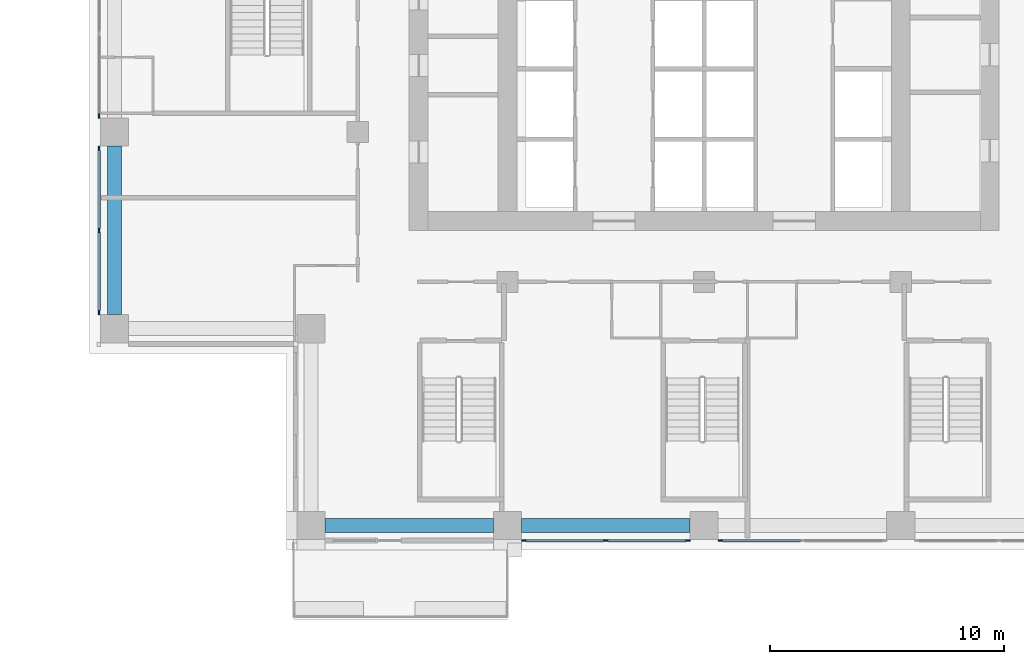
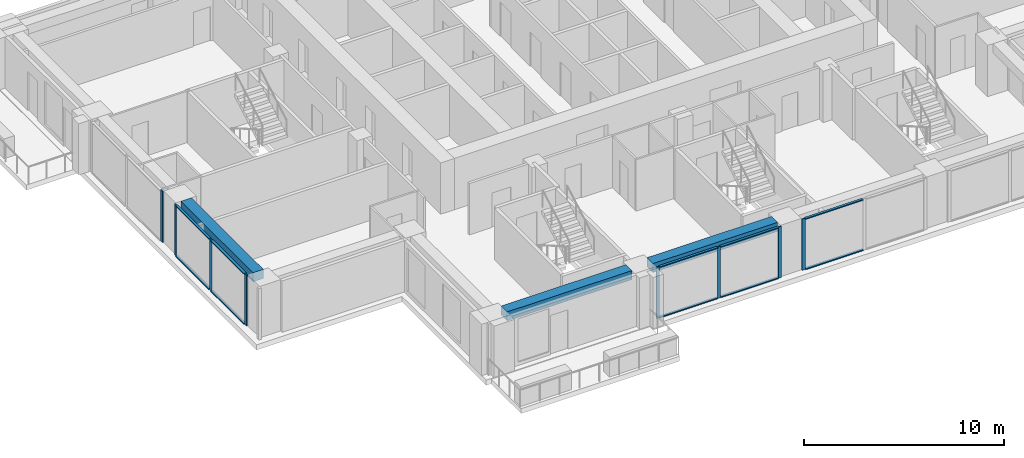
# One storey, part 2 of 17: 18 members, 3 beams, 4 elements without a shape of their own.
"""IFC4 building model written with IfcOpenShell, lengths in metres."""

import ifcopenshell
import ifcopenshell.guid

model = None  # the IFC model being written
_history = None  # IfcOwnerHistory: only IFC2X3 demands one
_inside = {}  # id of a spatial element -> (the spatial element, [elements in it])
_under = {}  # id of a project, library or spatial element -> (it, [spatial elements below it])
_declared = {}  # id of a project -> (the project, [libraries it declares])
_typed = {}  # id of a type object -> (the type object, [elements of that type])
_made_of = {}  # id of a material, layer set ... -> (it, [elements and type objects made of it])


def new_model(schema):
    """Start an empty IFC model of exactly this schema.

    Asked for "IFC4X3", IfcOpenShell would pick the latest addendum, in which some entities
    have other attributes; the version numbers below select the first issue.
    IFC2X3 requires an IfcOwnerHistory on every rooted entity: one is made here for all.
    """
    global model, _history
    if schema == "IFC4X3":
        model = ifcopenshell.file(schema_version=(4, 3, 0, 0))
    else:
        model = ifcopenshell.file(schema=schema)
    _inside.clear()
    _under.clear()
    _declared.clear()
    _typed.clear()
    _made_of.clear()
    _history = None
    if model.schema == "IFC2X3":
        org = make("IfcOrganization", Name="unknown")
        user = make(
            "IfcPersonAndOrganization",
            ThePerson=make("IfcPerson", FamilyName="unknown"),
            TheOrganization=org,
        )
        app = make(
            "IfcApplication",
            ApplicationDeveloper=org,
            Version="unknown",
            ApplicationFullName="unknown",
            ApplicationIdentifier="unknown",
        )
        _history = make(
            "IfcOwnerHistory",
            OwningUser=user,
            OwningApplication=app,
            ChangeAction="ADDED",
            CreationDate=0,
        )
    return model


def make(cls, **values):
    """One entity of the class cls with the attributes given. An attribute that is None is left unset."""
    return model.create_entity(
        cls, **{name: value for name, value in values.items() if value is not None}
    )


def rooted(cls, **values):
    """An entity with a GlobalId (a new one), such as an element, a storey or a relation."""
    return make(cls, GlobalId=ifcopenshell.guid.new(), OwnerHistory=_history, **values)


def si_unit(unit_type, name, prefix=None):
    """IfcSIUnit, for example si_unit("LENGTHUNIT", "METRE", prefix="MILLI")."""
    return make("IfcSIUnit", UnitType=unit_type, Prefix=prefix, Name=name)


def assignment(units):
    """IfcUnitAssignment: the units of a project."""
    return None if units is None else make("IfcUnitAssignment", Units=units)


def point(xyz):
    """IfcCartesianPoint."""
    return None if xyz is None else make("IfcCartesianPoint", Coordinates=xyz)


def direction(xyz):
    """IfcDirection."""
    return None if xyz is None else make("IfcDirection", DirectionRatios=xyz)


def frame(location, z_axis=None, x_axis=None):
    """IfcAxis2Placement3D, a coordinate frame: its origin and axes. An axis left out is left unset."""
    return make(
        "IfcAxis2Placement3D",
        Location=point(location),
        Axis=direction(z_axis),
        RefDirection=direction(x_axis),
    )


def frame_2d(location, x_axis=None):
    """IfcAxis2Placement2D, a coordinate frame in the plane: its origin and x axis."""
    return make(
        "IfcAxis2Placement2D", Location=point(location), RefDirection=direction(x_axis)
    )


def origin():
    """The frame at (0, 0, 0) with its axes left unset."""
    return frame((0.0, 0.0, 0.0))


def origin_2d():
    """The frame at (0, 0) in the plane with its x axis left unset."""
    return frame_2d((0.0, 0.0))


def place(relative_to, where):
    """IfcLocalPlacement: puts the frame where relative to a parent placement (None: the world)."""
    return make(
        "IfcLocalPlacement", PlacementRelTo=relative_to, RelativePlacement=where
    )


def context(
    kind, dimensions, precision=None, world=None, true_north=None, identifier=None
):
    """IfcGeometricRepresentationContext, for example the 3D "Model" context."""
    return make(
        "IfcGeometricRepresentationContext",
        ContextIdentifier=identifier,
        ContextType=kind,
        CoordinateSpaceDimension=dimensions,
        Precision=precision,
        WorldCoordinateSystem=world,
        TrueNorth=true_north,
    )


def subcontext(parent, identifier, kind, view, scale=None):
    """IfcGeometricRepresentationSubContext, for example "Body" below "Model"."""
    return make(
        "IfcGeometricRepresentationSubContext",
        ContextIdentifier=identifier,
        ContextType=kind,
        ParentContext=parent,
        TargetScale=scale,
        TargetView=view,
    )


def project(units=None, contexts=None):
    """IfcProject with its units and contexts."""
    return rooted(
        "IfcProject",
        Name="project",
        RepresentationContexts=contexts,
        UnitsInContext=assignment(units),
    )


def spatial(cls, under=None, at=None, **own):
    """A site, building, storey or space (cls), placed at a placement, below another one or the project."""
    s = rooted(cls, ObjectPlacement=at, **own)
    if under is not None:
        _under.setdefault(under.id(), (under, []))[1].append(s)
    return s


def profile(cls, at=None, kind="AREA", **sizes):
    """A parametric profile (cls). Its sizes go by their IFC names, for example OverallWidth=200.0."""
    return make(cls, ProfileType=kind, Position=at, **sizes)


def rectangle(**sizes):
    """IfcRectangleProfileDef."""
    return profile("IfcRectangleProfileDef", **sizes)


def extrude(swept, where, along, depth):
    """IfcExtrudedAreaSolid: the profile swept, set in the frame where, extruded along a direction by depth."""
    return make(
        "IfcExtrudedAreaSolid",
        SweptArea=swept,
        Position=where,
        ExtrudedDirection=direction(along),
        Depth=depth,
    )


def shape(context_of_items, identifier, shape_type, items):
    """IfcShapeRepresentation: the items that make up one representation, for example the "Body"."""
    return make(
        "IfcShapeRepresentation",
        ContextOfItems=context_of_items,
        RepresentationIdentifier=identifier,
        RepresentationType=shape_type,
        Items=items,
    )


def material(Name=None, Category=None):
    """IfcMaterial."""
    return make("IfcMaterial", Name=Name, Category=Category)


def material_profile(
    of_material, cross_section, Name=None, Category=None, Priority=None
):
    """IfcMaterialProfile: a cross section and its material."""
    return make(
        "IfcMaterialProfile",
        Name=Name,
        Material=of_material,
        Profile=cross_section,
        Priority=Priority,
        Category=Category,
    )


def profile_set(profiles, Name=None, composite=None):
    """IfcMaterialProfileSet."""
    return make(
        "IfcMaterialProfileSet",
        Name=Name,
        MaterialProfiles=profiles,
        CompositeProfile=composite,
    )


def made_of(thing, what):
    """Note that an element or type object is made of a material, layer set ...; save() writes the relation."""
    if what is not None:
        _made_of.setdefault(what.id(), (what, []))[1].append(thing)
    return thing


def type_object(cls, material=None, **own):
    """A type object (cls), such as IfcWallType, which elements share."""
    return made_of(rooted(cls, **own), material)


def element(
    cls,
    number,
    at=None,
    inside=None,
    cuts=None,
    type_object=None,
    material=None,
    context=None,
    identifier="Body",
    shape_type=None,
    held_by="IfcProductDefinitionShape",
    body=None,
    shapes=None,
    **own,
):
    """One element of the class cls, such as IfcWall. Its Tag is "e" and its number.

    at: its placement. inside: the storey or other place that contains it. cuts: it is an
    opening in that element (IfcRelVoidsElement). A single representation is given by context,
    identifier, shape_type and body (its items); several are given by shapes. held_by: the class
    of the entity that holds the representations. save() writes the other relations.
    """
    e = rooted(cls, Tag="e%d" % number, ObjectPlacement=at, **own)
    if body is not None:
        shapes = [shape(context, identifier, shape_type, body)]
    if shapes is not None:
        e.Representation = make(held_by, Representations=shapes)
    if inside is not None:
        _inside.setdefault(inside.id(), (inside, []))[1].append(e)
    if cuts is not None:
        rooted(
            "IfcRelVoidsElement", RelatingBuildingElement=cuts, RelatedOpeningElement=e
        )
    if type_object is not None:
        _typed.setdefault(type_object.id(), (type_object, []))[1].append(e)
    return made_of(e, material)


def aggregate(whole, parts):
    """IfcRelAggregates: a whole, such as a stair, and the parts it consists of."""
    return rooted("IfcRelAggregates", RelatingObject=whole, RelatedObjects=parts)


def save(model, path):
    """Write the relations noted so far, then the file.

    IfcRelAggregates (storeys below a building ...), IfcRelContainedInSpatialStructure (elements
    in a storey), IfcRelDefinesByType, IfcRelAssociatesMaterial and IfcRelDeclares: one each for
    every whole, place, type object, material and project.
    """
    for whole, parts in _under.values():
        aggregate(whole, parts)
    for where, things in _inside.values():
        rooted(
            "IfcRelContainedInSpatialStructure",
            RelatedElements=things,
            RelatingStructure=where,
        )
    for kind, things in _typed.values():
        rooted("IfcRelDefinesByType", RelatedObjects=things, RelatingType=kind)
    for what, things in _made_of.values():
        rooted("IfcRelAssociatesMaterial", RelatedObjects=things, RelatingMaterial=what)
    for by, libraries in _declared.values():
        rooted("IfcRelDeclares", RelatingContext=by, RelatedDefinitions=libraries)
    model.write(path)


model = new_model("IFC4")

# Units and contexts
model_context = context("Model", 3, precision=1e-05, world=origin(), true_north=direction((0.0, 1.0)))
body_context = subcontext(model_context, "Body", "Model", "MODEL_VIEW")
ifc_project = project(units=[si_unit("LENGTHUNIT", "METRE"), si_unit("AREAUNIT", "SQUARE_METRE"), si_unit("VOLUMEUNIT", "CUBIC_METRE"), si_unit("PLANEANGLEUNIT", "RADIAN"), si_unit("MASSUNIT", "GRAM", prefix="KILO")], contexts=[model_context])

# Site, building, storey
site_placement = place(None, origin())
site = spatial("IfcSite", under=ifc_project, at=site_placement, CompositionType="ELEMENT")
building_placement = place(site_placement, origin())
building = spatial("IfcBuilding", under=site, at=building_placement, Name="Vermilion Ogive Tower", CompositionType="ELEMENT")
storey_placement = place(building_placement, frame((0.0, 0.0, 83.85009765625)))
storey = spatial("IfcBuildingStorey", under=building, at=storey_placement, Name="L20", CompositionType="ELEMENT", Elevation=83.85009765625)

# Curtain wall, members
ifc_material_1 = material(Name="Low-iron laminated glazing in aluminium frame", Category="aluminium")
curtain_wall_type = type_object("IfcCurtainWallType", Name="Curtain wall CW7", PredefinedType="NOTDEFINED", material=ifc_material_1)
curtain_wall_1_placement = place(storey_placement, origin())
curtain_wall_1 = element("IfcCurtainWall", 1, at=curtain_wall_1_placement, inside=storey, type_object=curtain_wall_type, Name="Glazed skin S2", PredefinedType="NOTDEFINED")
ifc_material_2 = material(Name="Aluminium mullion", Category="aluminium")
ifc_material_profile_1 = material_profile(ifc_material_2, rectangle(XDim=0.06005859375, YDim=0.179931640625, at=origin_2d()), Name="AL 60x180")
ifc_profile_set_1 = profile_set([ifc_material_profile_1], Name="Aluminium mullion")
member_type_1 = type_object("IfcMemberType", Name="CW7 mullion 60x180", PredefinedType="MULLION", material=ifc_profile_set_1)
member_1_placement = place(storey_placement, frame((-7.7099609375, -21.64990234375, 0.0), z_axis=(0.0, 0.0, 1.0), x_axis=(0.0, 1.0, 0.0)))
member_1 = element("IfcMember", 2, at=member_1_placement, type_object=member_type_1, Name="CW7-S2 mullion 1", PredefinedType="MULLION", context=body_context, shape_type="SweptSolid", body=[
    extrude(rectangle(XDim=0.06005859375, YDim=0.179931640625, at=origin_2d()), origin(), (0.0, 0.0, 1.0), 3.1298828125),
])
member_2_placement = place(storey_placement, frame((-4.199951171875, -21.64990234375, 0.0), z_axis=(0.0, 0.0, 1.0), x_axis=(0.0, 1.0, 0.0)))
member_2 = element("IfcMember", 3, at=member_2_placement, type_object=member_type_1, Name="CW7-S2 mullion 2", PredefinedType="MULLION", context=body_context, shape_type="SweptSolid", body=[
    extrude(rectangle(XDim=0.06005859375, YDim=0.179931640625, at=origin_2d()), origin(), (0.0, 0.0, 1.0), 3.1298828125),
])
member_3_placement = place(storey_placement, frame((-0.68994140625, -21.64990234375, 0.0), z_axis=(0.0, 0.0, 1.0), x_axis=(0.0, 1.0, 0.0)))
member_3 = element("IfcMember", 4, at=member_3_placement, type_object=member_type_1, Name="CW7-S2 mullion 3", PredefinedType="MULLION", context=body_context, shape_type="SweptSolid", body=[
    extrude(rectangle(XDim=0.06005859375, YDim=0.179931640625, at=origin_2d()), origin(), (0.0, 0.0, 1.0), 3.1298828125),
])

# Curtain wall, member
curtain_wall_2_placement = place(storey_placement, origin())
curtain_wall_2 = element("IfcCurtainWall", 5, at=curtain_wall_2_placement, inside=storey, type_object=curtain_wall_type, Name="Glazed skin S3", PredefinedType="NOTDEFINED")
member_4_placement = place(storey_placement, frame((0.68994140625, -21.64990234375, 0.0), z_axis=(0.0, 0.0, 1.0), x_axis=(0.0, 1.0, 0.0)))
member_4 = element("IfcMember", 6, at=member_4_placement, type_object=member_type_1, Name="CW7-S3 mullion 1", PredefinedType="MULLION", context=body_context, shape_type="SweptSolid", body=[
    extrude(rectangle(XDim=0.06005859375, YDim=0.179931640625, at=origin_2d()), origin(), (0.0, 0.0, 1.0), 3.1298828125),
])

curtain_wall_3_placement = place(storey_placement, origin())
curtain_wall_3 = element("IfcCurtainWall", 7, at=curtain_wall_3_placement, inside=storey, type_object=curtain_wall_type, Name="Glazed skin W2", PredefinedType="NOTDEFINED")
member_5_placement = place(storey_placement, frame((-25.85009765625, -3.510009765625, 0.0), z_axis=(0.0, 0.0, 1.0), x_axis=(1.0, 0.0, 0.0)))
member_5 = element("IfcMember", 8, at=member_5_placement, type_object=member_type_1, Name="CW7-W2 mullion 3", PredefinedType="MULLION", context=body_context, shape_type="SweptSolid", body=[
    extrude(rectangle(XDim=0.06005859375, YDim=0.179931640625, at=origin_2d()), origin(), (0.0, 0.0, 1.0), 3.1298828125),
])
aggregate(curtain_wall_3, [member_5])

# Curtain wall, members
curtain_wall_4_placement = place(storey_placement, origin())
curtain_wall_4 = element("IfcCurtainWall", 9, at=curtain_wall_4_placement, inside=storey, type_object=curtain_wall_type, Name="Glazed skin W3", PredefinedType="NOTDEFINED")
member_6_placement = place(storey_placement, frame((-25.85009765625, -4.889892578125, 0.0), z_axis=(0.0, 0.0, 1.0), x_axis=(1.0, 0.0, 0.0)))
member_6 = element("IfcMember", 10, at=member_6_placement, type_object=member_type_1, Name="CW7-W3 mullion 1", PredefinedType="MULLION", context=body_context, shape_type="SweptSolid", body=[
    extrude(rectangle(XDim=0.06005859375, YDim=0.179931640625, at=origin_2d()), origin(), (0.0, 0.0, 1.0), 3.1298828125),
])
member_7_placement = place(storey_placement, frame((-25.85009765625, -8.39990234375, 0.0), z_axis=(0.0, 0.0, 1.0), x_axis=(1.0, 0.0, 0.0)))
member_7 = element("IfcMember", 11, at=member_7_placement, type_object=member_type_1, Name="CW7-W3 mullion 2", PredefinedType="MULLION", context=body_context, shape_type="SweptSolid", body=[
    extrude(rectangle(XDim=0.06005859375, YDim=0.179931640625, at=origin_2d()), origin(), (0.0, 0.0, 1.0), 3.1298828125),
])
member_8_placement = place(storey_placement, frame((-25.85009765625, -11.909912109375, 0.0), z_axis=(0.0, 0.0, 1.0), x_axis=(1.0, 0.0, 0.0)))
member_8 = element("IfcMember", 12, at=member_8_placement, type_object=member_type_1, Name="CW7-W3 mullion 3", PredefinedType="MULLION", context=body_context, shape_type="SweptSolid", body=[
    extrude(rectangle(XDim=0.06005859375, YDim=0.179931640625, at=origin_2d()), origin(), (0.0, 0.0, 1.0), 3.1298828125),
])

# Member
ifc_material_3 = material(Name="Aluminium transom", Category="aluminium")
ifc_material_profile_2 = material_profile(ifc_material_3, rectangle(XDim=0.139892578125, YDim=0.06005859375, at=origin_2d()), Name="AL 60x140")
ifc_profile_set_2 = profile_set([ifc_material_profile_2], Name="Aluminium transom")
member_type_2 = type_object("IfcMemberType", Name="CW7 transom 60x140", PredefinedType="USERDEFINED", material=ifc_profile_set_2)
member_9_placement = place(storey_placement, frame((-7.6201171875, -21.64990234375, 0.02978515625), z_axis=(1.0, 0.0, 0.0), x_axis=(0.0, 1.0, 0.0)))
member_9 = element("IfcMember", 13, at=member_9_placement, type_object=member_type_2, Name="CW7-S2 transom 1.1", ObjectType="TRANSOM", PredefinedType="USERDEFINED", context=body_context, shape_type="SweptSolid", body=[
    extrude(rectangle(XDim=0.139892578125, YDim=0.06005859375, at=origin_2d()), origin(), (0.0, 0.0, 1.0), 3.330078125),
])

member_10_placement = place(storey_placement, frame((-7.6201171875, -21.64990234375, 3.099853515625), z_axis=(1.0, 0.0, 0.0), x_axis=(0.0, 1.0, 0.0)))
member_10 = element("IfcMember", 14, at=member_10_placement, type_object=member_type_2, Name="CW7-S2 transom 1.2", ObjectType="TRANSOM", PredefinedType="USERDEFINED", context=body_context, shape_type="SweptSolid", body=[
    extrude(rectangle(XDim=0.139892578125, YDim=0.06005859375, at=origin_2d()), origin(), (0.0, 0.0, 1.0), 3.330078125),
])

member_11_placement = place(storey_placement, frame((-4.110107421875, -21.64990234375, 0.02978515625), z_axis=(1.0, 0.0, 0.0), x_axis=(0.0, 1.0, 0.0)))
member_11 = element("IfcMember", 15, at=member_11_placement, type_object=member_type_2, Name="CW7-S2 transom 2.1", ObjectType="TRANSOM", PredefinedType="USERDEFINED", context=body_context, shape_type="SweptSolid", body=[
    extrude(rectangle(XDim=0.139892578125, YDim=0.06005859375, at=origin_2d()), origin(), (0.0, 0.0, 1.0), 3.330078125),
])

member_12_placement = place(storey_placement, frame((-4.110107421875, -21.64990234375, 3.099853515625), z_axis=(1.0, 0.0, 0.0), x_axis=(0.0, 1.0, 0.0)))
member_12 = element("IfcMember", 16, at=member_12_placement, type_object=member_type_2, Name="CW7-S2 transom 2.2", ObjectType="TRANSOM", PredefinedType="USERDEFINED", context=body_context, shape_type="SweptSolid", body=[
    extrude(rectangle(XDim=0.139892578125, YDim=0.06005859375, at=origin_2d()), origin(), (0.0, 0.0, 1.0), 3.330078125),
])

aggregate(curtain_wall_1, [member_1, member_2, member_3, member_9, member_10, member_11, member_12])

member_13_placement = place(storey_placement, frame((0.780029296875, -21.64990234375, 0.02978515625), z_axis=(1.0, 0.0, 0.0), x_axis=(0.0, 1.0, 0.0)))
member_13 = element("IfcMember", 17, at=member_13_placement, type_object=member_type_2, Name="CW7-S3 transom 1.1", ObjectType="TRANSOM", PredefinedType="USERDEFINED", context=body_context, shape_type="SweptSolid", body=[
    extrude(rectangle(XDim=0.139892578125, YDim=0.06005859375, at=origin_2d()), origin(), (0.0, 0.0, 1.0), 3.330078125),
])

member_14_placement = place(storey_placement, frame((0.780029296875, -21.64990234375, 3.099853515625), z_axis=(1.0, 0.0, 0.0), x_axis=(0.0, 1.0, 0.0)))
member_14 = element("IfcMember", 18, at=member_14_placement, type_object=member_type_2, Name="CW7-S3 transom 1.2", ObjectType="TRANSOM", PredefinedType="USERDEFINED", context=body_context, shape_type="SweptSolid", body=[
    extrude(rectangle(XDim=0.139892578125, YDim=0.06005859375, at=origin_2d()), origin(), (0.0, 0.0, 1.0), 3.330078125),
])

aggregate(curtain_wall_2, [member_4, member_13, member_14])

member_15_placement = place(storey_placement, frame((-25.85009765625, -4.97998046875, 0.02978515625), z_axis=(0.0, -1.0, 0.0), x_axis=(1.0, 0.0, 0.0)))
member_15 = element("IfcMember", 19, at=member_15_placement, type_object=member_type_2, Name="CW7-W3 transom 1.1", ObjectType="TRANSOM", PredefinedType="USERDEFINED", context=body_context, shape_type="SweptSolid", body=[
    extrude(rectangle(XDim=0.139892578125, YDim=0.06005859375, at=origin_2d()), origin(), (0.0, 0.0, 1.0), 3.330078125),
])

member_16_placement = place(storey_placement, frame((-25.85009765625, -4.97998046875, 3.099853515625), z_axis=(0.0, -1.0, 0.0), x_axis=(1.0, 0.0, 0.0)))
member_16 = element("IfcMember", 20, at=member_16_placement, type_object=member_type_2, Name="CW7-W3 transom 1.2", ObjectType="TRANSOM", PredefinedType="USERDEFINED", context=body_context, shape_type="SweptSolid", body=[
    extrude(rectangle(XDim=0.139892578125, YDim=0.06005859375, at=origin_2d()), origin(), (0.0, 0.0, 1.0), 3.330078125),
])

member_17_placement = place(storey_placement, frame((-25.85009765625, -8.489990234375, 0.02978515625), z_axis=(0.0, -1.0, 0.0), x_axis=(1.0, 0.0, 0.0)))
member_17 = element("IfcMember", 21, at=member_17_placement, type_object=member_type_2, Name="CW7-W3 transom 2.1", ObjectType="TRANSOM", PredefinedType="USERDEFINED", context=body_context, shape_type="SweptSolid", body=[
    extrude(rectangle(XDim=0.139892578125, YDim=0.06005859375, at=origin_2d()), origin(), (0.0, 0.0, 1.0), 3.330078125),
])

member_18_placement = place(storey_placement, frame((-25.85009765625, -8.489990234375, 3.099853515625), z_axis=(0.0, -1.0, 0.0), x_axis=(1.0, 0.0, 0.0)))
member_18 = element("IfcMember", 22, at=member_18_placement, type_object=member_type_2, Name="CW7-W3 transom 2.2", ObjectType="TRANSOM", PredefinedType="USERDEFINED", context=body_context, shape_type="SweptSolid", body=[
    extrude(rectangle(XDim=0.139892578125, YDim=0.06005859375, at=origin_2d()), origin(), (0.0, 0.0, 1.0), 3.330078125),
])

aggregate(curtain_wall_4, [member_6, member_7, member_8, member_15, member_16, member_17, member_18])

# Beams
ifc_material_4 = material(Name="Concrete B45", Category="concrete")
ifc_material_profile_3 = material_profile(ifc_material_4, rectangle(XDim=0.60009765625, YDim=0.550048828125, at=origin_2d()), Name="600 x 550")
ifc_profile_set_3 = profile_set([ifc_material_profile_3], Name="Concrete B45")
beam_type = type_object("IfcBeamType", Name="Edge beam 600 x 550 B45", PredefinedType="BEAM", material=ifc_profile_set_3)
for number, where, z_axis, x_axis, name in (
    (23, (-16.199951171875, -21.0, 2.85498046875), (1.0, 0.0, 0.0), (0.0, 1.0, 0.0), "L20-EB-1"),
    (24, (-7.800048828125, -21.0, 2.85498046875), (1.0, 0.0, 0.0), (0.0, 1.0, 0.0), "L20-EB-2"),
    (25, (-25.199951171875, -4.800048828125, 2.85498046875), (0.0, -1.0, 0.0), (1.0, 0.0, 0.0), "L20-EB-16"),
):
    element("IfcBeam", number, at=place(storey_placement, frame(where, z_axis=z_axis, x_axis=x_axis)), inside=storey, type_object=beam_type, Name=name, PredefinedType="BEAM", context=body_context, shape_type="SweptSolid", body=[
        extrude(rectangle(XDim=0.60009765625, YDim=0.550048828125, at=origin_2d()), origin(), (0.0, 0.0, 1.0), 7.199951171875),
    ])

save(model, "model.ifc")
